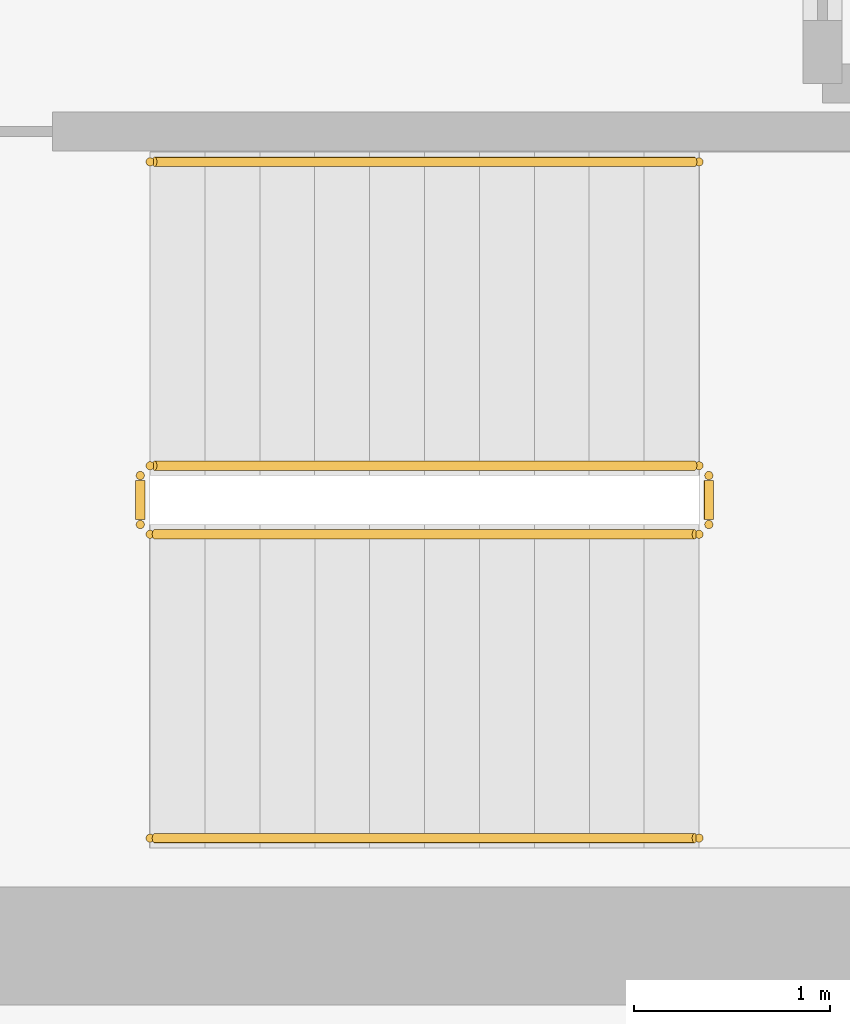
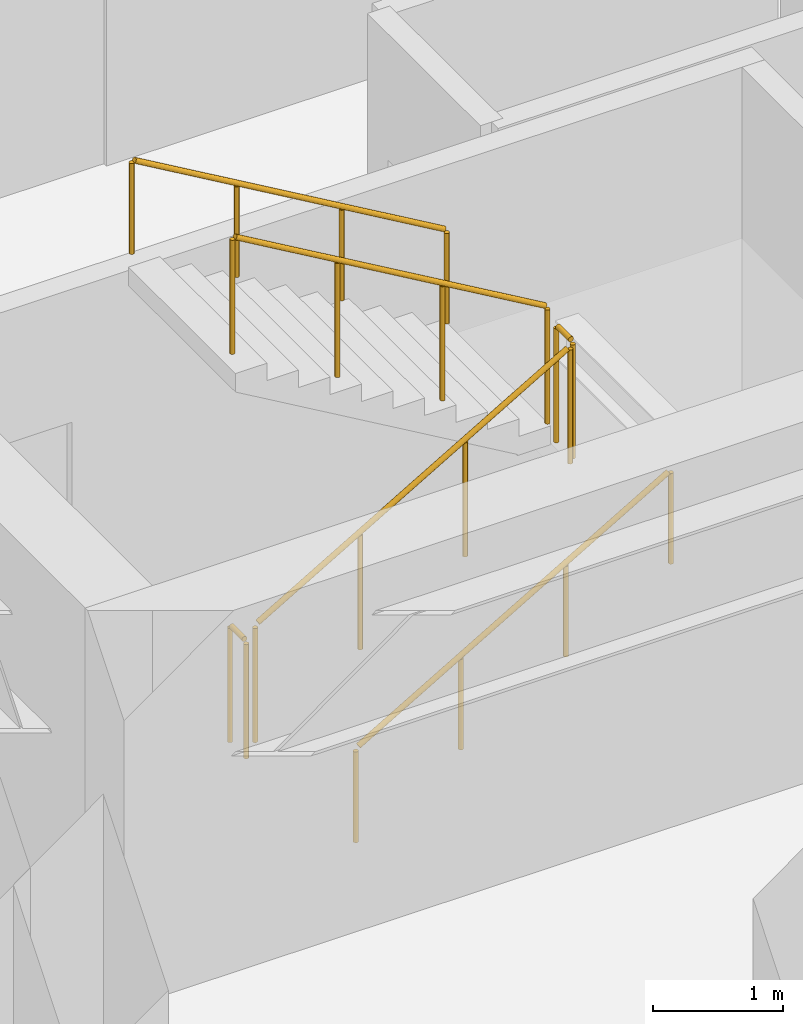
# One storey, part 14 of 14: 6 railings.
"""IFC4 building model written with IfcOpenShell, lengths in metres."""

from ifc_helpers import new_model, si_unit, direction, frame, origin, origin_2d, place, context, subcontext, project, spatial, circle, extrude, source, transform, mapped, material, layer, layer_set, type_object, element, save


model = new_model("IFC4")

# Units and contexts
model_context = context("Model", 3, precision=1e-05, world=origin(), true_north=direction((0.0, 1.0)))
body_context = subcontext(model_context, "Body", "Model", "MODEL_VIEW")
ifc_project = project(units=[si_unit("LENGTHUNIT", "METRE"), si_unit("AREAUNIT", "SQUARE_METRE"), si_unit("VOLUMEUNIT", "CUBIC_METRE"), si_unit("PLANEANGLEUNIT", "RADIAN"), si_unit("MASSUNIT", "GRAM", prefix="KILO")], contexts=[model_context])

# Site, building, storey
site_placement = place(None, origin())
site = spatial("IfcSite", under=ifc_project, at=site_placement, CompositionType="ELEMENT")
building_placement = place(site_placement, origin())
building = spatial("IfcBuilding", under=site, at=building_placement, Name="Kharzan Plaza Tower", CompositionType="ELEMENT")
storey_placement = place(building_placement, frame((0.0, 0.0, 168.300048828125)))
storey = spatial("IfcBuildingStorey", under=building, at=storey_placement, Name="L45", CompositionType="ELEMENT", Elevation=168.300048828125)

# Railings
ifc_material_1 = material(Name="Painted Galvanized Architectural Steel", Category="steel")
ifc_layer_1 = layer(ifc_material_1, 0.074951171875)
ifc_layer_set_1 = layer_set([ifc_layer_1], Name="Painted Galvanized Architectural Steel")
railing_type_1 = type_object("IfcRailingType", Name="RL-GUARD-1120", PredefinedType="BALUSTRADE", material=ifc_layer_set_1)
shared_shape_1 = source(origin(), body_context, "Body", "SweptSolid", [
    extrude(circle(Radius=0.02392578125, at=origin_2d()), frame((0.0, 0.0263671875, 1.09619140625), z_axis=(0.0, 1.0, 0.0), x_axis=(-1.0, 0.0, 0.0)), (0.0, 0.0, 1.0), 0.197021484375),
    extrude(circle(Radius=0.02099609375, at=origin_2d()), origin(), (0.0, 0.0, 1.0), 1.072021484375),
    extrude(circle(Radius=0.02099609375, at=origin_2d()), frame((0.0, 0.25, 0.0)), (0.0, 0.0, 1.0), 1.072021484375),
])
for number, where, name in (
    (1, (41.10009765625, 6.64990234375, 1.800048828125), "L45 ST-3 stair guard 2"),
    (2, (38.199951171875, 6.64990234375, 0.0), "L45 ST-3 stair guard 4"),
):
    element("IfcRailing", number, at=place(storey_placement, frame(where)), inside=storey, type_object=railing_type_1, Name=name, PredefinedType="BALUSTRADE", context=body_context, shape_type="MappedRepresentation", body=[
        mapped(shared_shape_1, transform((0.0, 0.0, 0.0), x_axis=(1.0, 0.0, 0.0), y_axis=(0.0, 1.0, 0.0), z_axis=(0.0, 0.0, 1.0))),
    ])
shared_shape_2 = source(origin(), body_context, "Body", "SweptSolid", [
    extrude(circle(Radius=0.02392578125, at=origin_2d()), frame((0.02294921875, 0.0, 1.109375), z_axis=(0.863360870873, 0.0, 0.504586966384), x_axis=(0.0, 1.0, 0.0)), (0.0, 0.0, 1.0), 3.190185546875),
    extrude(circle(Radius=0.02099609375, at=origin_2d()), origin(), (0.0, 0.0, 1.0), 1.072021484375),
    extrude(circle(Radius=0.02099609375, at=origin_2d()), frame((0.933349609375, 0.0, 0.54541015625)), (0.0, 0.0, 1.0), 1.072021484375),
    extrude(circle(Radius=0.02099609375, at=origin_2d()), frame((1.86669921875, 0.0, 1.091064453125)), (0.0, 0.0, 1.0), 1.072021484375),
    extrude(circle(Radius=0.02099609375, at=origin_2d()), frame((2.800048828125, 0.0, 1.636474609375)), (0.0, 0.0, 1.0), 1.072021484375),
])
railing_1_placement = place(storey_placement, frame((38.25, 6.60009765625, 0.16357421875)))
element("IfcRailing", 3, at=railing_1_placement, inside=storey, type_object=railing_type_1, Name="L45 ST-3 stair guard 1", PredefinedType="BALUSTRADE", context=body_context, shape_type="MappedRepresentation", body=[
    mapped(shared_shape_2, transform((0.0, 0.0, 0.0), x_axis=(1.0, 0.0, 0.0), y_axis=(0.0, 1.0, 0.0), z_axis=(0.0, 0.0, 1.0))),
])
ifc_material_2 = material(Name="Brushed Stainless Steel", Category="steel")
ifc_layer_2 = layer(ifc_material_2, 0.050048828125)
ifc_layer_set_2 = layer_set([ifc_layer_2], Name="Brushed Stainless Steel")
railing_type_2 = type_object("IfcRailingType", Name="RL-STAIR-HR920", PredefinedType="HANDRAIL", material=ifc_layer_set_2)
shared_shape_3 = source(origin(), body_context, "Body", "SweptSolid", [
    extrude(circle(Radius=0.02392578125, at=origin_2d()), frame((0.02294921875, 0.0, 0.88916015625), z_axis=(0.863360870873, 0.0, 0.504586966384), x_axis=(0.0, 1.0, 0.0)), (0.0, 0.0, 1.0), 3.190185546875),
    extrude(circle(Radius=0.02099609375, at=origin_2d()), origin(), (0.0, 0.0, 1.0), 0.851806640625),
    extrude(circle(Radius=0.02099609375, at=origin_2d()), frame((0.933349609375, 0.0, 0.54541015625)), (0.0, 0.0, 1.0), 0.851806640625),
    extrude(circle(Radius=0.02099609375, at=origin_2d()), frame((1.86669921875, 0.0, 1.091064453125)), (0.0, 0.0, 1.0), 0.851806640625),
    extrude(circle(Radius=0.02099609375, at=origin_2d()), frame((2.800048828125, 0.0, 1.636474609375)), (0.0, 0.0, 1.0), 0.851806640625),
])
railing_2_placement = place(storey_placement, frame((38.25, 5.050048828125, 0.16357421875)))
element("IfcRailing", 4, at=railing_2_placement, inside=storey, type_object=railing_type_2, Name="L45 ST-3 stair handrail 1", PredefinedType="HANDRAIL", context=body_context, shape_type="MappedRepresentation", body=[
    mapped(shared_shape_3, transform((0.0, 0.0, 0.0), x_axis=(1.0, 0.0, 0.0), y_axis=(0.0, 1.0, 0.0), z_axis=(0.0, 0.0, 1.0))),
])
shared_shape_4 = source(origin(), body_context, "Body", "SweptSolid", [
    extrude(circle(Radius=0.02392578125, at=origin_2d()), frame((-0.02294921875, 0.0, 1.109375), z_axis=(-0.863393664356, 0.0, 0.504530851732), x_axis=(0.0, -1.0, 0.0)), (0.0, 0.0, 1.0), 3.190185546875),
    extrude(circle(Radius=0.02099609375, at=origin_2d()), origin(), (0.0, 0.0, 1.0), 1.072021484375),
    extrude(circle(Radius=0.02099609375, at=origin_2d()), frame((-0.933349609375, 0.0, 0.54541015625)), (0.0, 0.0, 1.0), 1.072021484375),
    extrude(circle(Radius=0.02099609375, at=origin_2d()), frame((-1.86669921875, 0.0, 1.0908203125)), (0.0, 0.0, 1.0), 1.072021484375),
    extrude(circle(Radius=0.02099609375, at=origin_2d()), frame((-2.800048828125, 0.0, 1.63623046875)), (0.0, 0.0, 1.0), 1.072021484375),
])
railing_3_placement = place(storey_placement, frame((41.050048828125, 6.949951171875, 1.963623046875)))
element("IfcRailing", 5, at=railing_3_placement, inside=storey, type_object=railing_type_1, Name="L45 ST-3 stair guard 3", PredefinedType="BALUSTRADE", context=body_context, shape_type="MappedRepresentation", body=[
    mapped(shared_shape_4, transform((0.0, 0.0, 0.0), x_axis=(1.0, 0.0, 0.0), y_axis=(0.0, 1.0, 0.0), z_axis=(0.0, 0.0, 1.0))),
])
shared_shape_5 = source(origin(), body_context, "Body", "SweptSolid", [
    extrude(circle(Radius=0.02392578125, at=origin_2d()), frame((-0.02294921875, 0.0, 0.88916015625), z_axis=(-0.863393664356, 0.0, 0.504530851732), x_axis=(0.0, -1.0, 0.0)), (0.0, 0.0, 1.0), 3.190185546875),
    extrude(circle(Radius=0.02099609375, at=origin_2d()), origin(), (0.0, 0.0, 1.0), 0.851806640625),
    extrude(circle(Radius=0.02099609375, at=origin_2d()), frame((-0.933349609375, 0.0, 0.54541015625)), (0.0, 0.0, 1.0), 0.851806640625),
    extrude(circle(Radius=0.02099609375, at=origin_2d()), frame((-1.86669921875, 0.0, 1.0908203125)), (0.0, 0.0, 1.0), 0.851806640625),
    extrude(circle(Radius=0.02099609375, at=origin_2d()), frame((-2.800048828125, 0.0, 1.63623046875)), (0.0, 0.0, 1.0), 0.851806640625),
])
railing_4_placement = place(storey_placement, frame((41.050048828125, 8.5, 1.963623046875)))
element("IfcRailing", 6, at=railing_4_placement, inside=storey, type_object=railing_type_2, Name="L45 ST-3 stair handrail 2", PredefinedType="HANDRAIL", context=body_context, shape_type="MappedRepresentation", body=[
    mapped(shared_shape_5, transform((0.0, 0.0, 0.0), x_axis=(1.0, 0.0, 0.0), y_axis=(0.0, 1.0, 0.0), z_axis=(0.0, 0.0, 1.0))),
])

save(model, "model.ifc")
